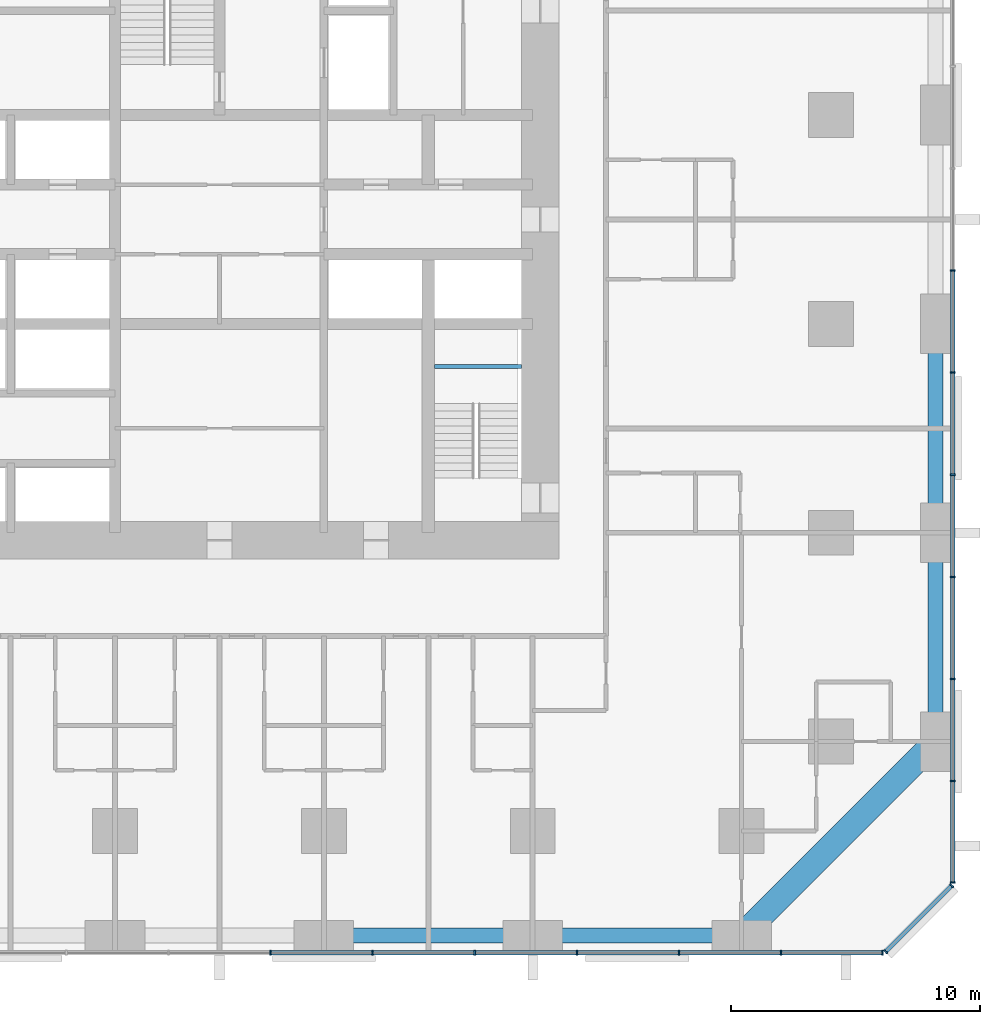
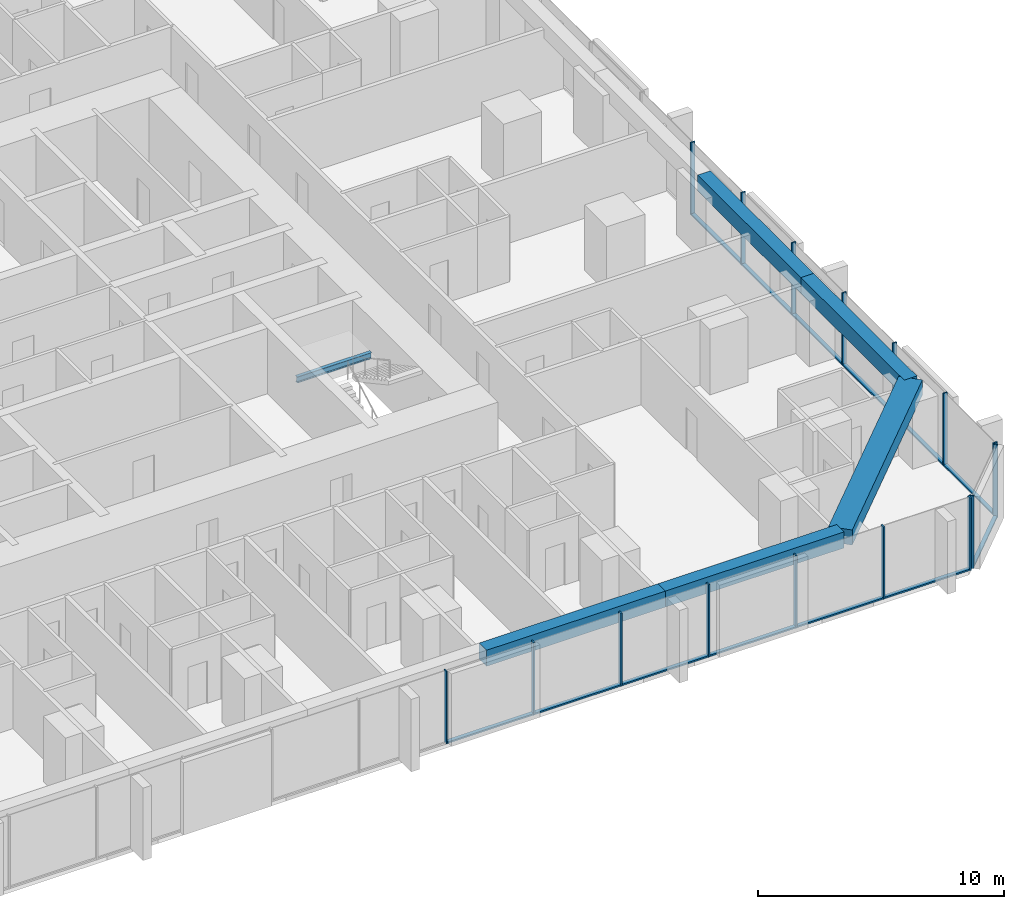
# One storey, part 4 of 17: 29 members, 6 beams, 3 elements without a shape of their own.
"""IFC4 building model written with IfcOpenShell, lengths in metres."""

from ifc_helpers import new_model, si_unit, direction, frame, origin, origin_2d, place, context, subcontext, project, spatial, rectangle, i_section, extrude, material, material_profile, profile_set, type_object, element, aggregate, save


model = new_model("IFC4")

# Units and contexts
model_context = context("Model", 3, precision=1e-05, world=origin(), true_north=direction((0.0, 1.0)))
body_context = subcontext(model_context, "Body", "Model", "MODEL_VIEW")
ifc_project = project(units=[si_unit("LENGTHUNIT", "METRE"), si_unit("AREAUNIT", "SQUARE_METRE"), si_unit("VOLUMEUNIT", "CUBIC_METRE"), si_unit("PLANEANGLEUNIT", "RADIAN"), si_unit("MASSUNIT", "GRAM", prefix="KILO")], contexts=[model_context])

# Site, building, storey
site_placement = place(None, origin())
site = spatial("IfcSite", under=ifc_project, at=site_placement, CompositionType="ELEMENT")
building_placement = place(site_placement, origin())
building = spatial("IfcBuilding", under=site, at=building_placement, Name="Dunama Terrace Hotel", CompositionType="ELEMENT")
storey_placement = place(building_placement, frame((0.0, 0.0, 77.39990234375)))
storey = spatial("IfcBuildingStorey", under=building, at=storey_placement, Name="L19", CompositionType="ELEMENT", Elevation=77.39990234375)

# Curtain wall, members
ifc_material_1 = material(Name="Aluminium curtain wall system", Category="aluminium")
curtain_wall_type = type_object("IfcCurtainWallType", Name="Unitised fritted glass wall CW-A", PredefinedType="NOTDEFINED", material=ifc_material_1)
curtain_wall_1_placement = place(storey_placement, origin())
curtain_wall_1 = element("IfcCurtainWall", 1, at=curtain_wall_1_placement, inside=storey, type_object=curtain_wall_type, Name="Unitised fritted glass wall CW-A L19", PredefinedType="NOTDEFINED")
ifc_material_2 = material(Name="Aluminium mullion", Category="aluminium")
ifc_material_profile_1 = material_profile(ifc_material_2, rectangle(XDim=0.06494140625, YDim=0.199951171875, at=origin_2d()), Name="CWA MULLION 65X200")
ifc_profile_set_1 = profile_set([ifc_material_profile_1], Name="Aluminium mullion")
member_type_1 = type_object("IfcMemberType", Name="CWA mullion 65x200", PredefinedType="MULLION", material=ifc_profile_set_1)
member_1_placement = place(storey_placement, frame((31.4541015625, -0.10009765625, 0.0), z_axis=(0.0, 0.0, 1.0), x_axis=(1.0, 0.0, 0.0)))
member_1 = element("IfcMember", 2, at=member_1_placement, type_object=member_type_1, Name="CWA mullion", PredefinedType="MULLION", context=body_context, shape_type="SweptSolid", body=[
    extrude(rectangle(XDim=0.06494140625, YDim=0.199951171875, at=origin_2d()), origin(), (0.0, 0.0, 1.0), 3.60009765625),
])
member_2_placement = place(storey_placement, frame((35.56201171875, -0.10009765625, 0.0), z_axis=(0.0, 0.0, 1.0), x_axis=(1.0, 0.0, 0.0)))
member_2 = element("IfcMember", 3, at=member_2_placement, type_object=member_type_1, Name="CWA mullion", PredefinedType="MULLION", context=body_context, shape_type="SweptSolid", body=[
    extrude(rectangle(XDim=0.06494140625, YDim=0.199951171875, at=origin_2d()), origin(), (0.0, 0.0, 1.0), 3.60009765625),
])
member_3_placement = place(storey_placement, frame((39.6689453125, -0.10009765625, 0.0), z_axis=(0.0, 0.0, 1.0), x_axis=(1.0, 0.0, 0.0)))
member_3 = element("IfcMember", 4, at=member_3_placement, type_object=member_type_1, Name="CWA mullion", PredefinedType="MULLION", context=body_context, shape_type="SweptSolid", body=[
    extrude(rectangle(XDim=0.06494140625, YDim=0.199951171875, at=origin_2d()), origin(), (0.0, 0.0, 1.0), 3.60009765625),
])
member_4_placement = place(storey_placement, frame((43.777099609375, -0.10009765625, 0.0), z_axis=(0.0, 0.0, 1.0), x_axis=(1.0, 0.0, 0.0)))
member_4 = element("IfcMember", 5, at=member_4_placement, type_object=member_type_1, Name="CWA mullion", PredefinedType="MULLION", context=body_context, shape_type="SweptSolid", body=[
    extrude(rectangle(XDim=0.06494140625, YDim=0.199951171875, at=origin_2d()), origin(), (0.0, 0.0, 1.0), 3.60009765625),
])
member_5_placement = place(storey_placement, frame((47.885009765625, -0.10009765625, 0.0), z_axis=(0.0, 0.0, 1.0), x_axis=(1.0, 0.0, 0.0)))
member_5 = element("IfcMember", 6, at=member_5_placement, type_object=member_type_1, Name="CWA mullion", PredefinedType="MULLION", context=body_context, shape_type="SweptSolid", body=[
    extrude(rectangle(XDim=0.06494140625, YDim=0.199951171875, at=origin_2d()), origin(), (0.0, 0.0, 1.0), 3.60009765625),
])
member_6_placement = place(storey_placement, frame((51.991943359375, -0.10009765625, 0.0), z_axis=(0.0, 0.0, 1.0), x_axis=(1.0, 0.0, 0.0)))
member_6 = element("IfcMember", 7, at=member_6_placement, type_object=member_type_1, Name="CWA mullion", PredefinedType="MULLION", context=body_context, shape_type="SweptSolid", body=[
    extrude(rectangle(XDim=0.06494140625, YDim=0.199951171875, at=origin_2d()), origin(), (0.0, 0.0, 1.0), 3.60009765625),
])
member_7_placement = place(storey_placement, frame((56.06689453125, -0.10009765625, 0.0), z_axis=(0.0, 0.0, 1.0), x_axis=(1.0, 0.0, 0.0)))
member_7 = element("IfcMember", 8, at=member_7_placement, type_object=member_type_1, Name="CWA mullion", PredefinedType="MULLION", context=body_context, shape_type="SweptSolid", body=[
    extrude(rectangle(XDim=0.06494140625, YDim=0.199951171875, at=origin_2d()), origin(), (0.0, 0.0, 1.0), 3.60009765625),
])

curtain_wall_2_placement = place(storey_placement, origin())
curtain_wall_2 = element("IfcCurtainWall", 9, at=curtain_wall_2_placement, inside=storey, type_object=curtain_wall_type, Name="Unitised fritted glass wall CW-A L19", PredefinedType="NOTDEFINED")
member_8_placement = place(storey_placement, frame((56.194091796875, -0.048095703125, 0.0), z_axis=(0.0, 0.0, 1.0), x_axis=(0.707106781187, 0.707106781187, 0.0)))
member_8 = element("IfcMember", 10, at=member_8_placement, type_object=member_type_1, Name="CWA mullion", PredefinedType="MULLION", context=body_context, shape_type="SweptSolid", body=[
    extrude(rectangle(XDim=0.06494140625, YDim=0.199951171875, at=origin_2d()), origin(), (0.0, 0.0, 1.0), 3.60009765625),
])
member_9_placement = place(storey_placement, frame((58.847900390625, 2.60595703125, 0.0), z_axis=(0.0, 0.0, 1.0), x_axis=(0.707106781187, 0.707106781187, 0.0)))
member_9 = element("IfcMember", 11, at=member_9_placement, type_object=member_type_1, Name="CWA mullion", PredefinedType="MULLION", context=body_context, shape_type="SweptSolid", body=[
    extrude(rectangle(XDim=0.06494140625, YDim=0.199951171875, at=origin_2d()), origin(), (0.0, 0.0, 1.0), 3.60009765625),
])

curtain_wall_3_placement = place(storey_placement, origin())
curtain_wall_3 = element("IfcCurtainWall", 12, at=curtain_wall_3_placement, inside=storey, type_object=curtain_wall_type, Name="Unitised fritted glass wall CW-A L19", PredefinedType="NOTDEFINED")
member_10_placement = place(storey_placement, frame((58.89990234375, 2.73291015625, 0.0), z_axis=(0.0, 0.0, 1.0), x_axis=(0.0, 1.0, 0.0)))
member_10 = element("IfcMember", 13, at=member_10_placement, type_object=member_type_1, Name="CWA mullion", PredefinedType="MULLION", context=body_context, shape_type="SweptSolid", body=[
    extrude(rectangle(XDim=0.06494140625, YDim=0.199951171875, at=origin_2d()), origin(), (0.0, 0.0, 1.0), 3.60009765625),
])
member_11_placement = place(storey_placement, frame((58.89990234375, 6.80810546875, 0.0), z_axis=(0.0, 0.0, 1.0), x_axis=(0.0, 1.0, 0.0)))
member_11 = element("IfcMember", 14, at=member_11_placement, type_object=member_type_1, Name="CWA mullion", PredefinedType="MULLION", context=body_context, shape_type="SweptSolid", body=[
    extrude(rectangle(XDim=0.06494140625, YDim=0.199951171875, at=origin_2d()), origin(), (0.0, 0.0, 1.0), 3.60009765625),
])
member_12_placement = place(storey_placement, frame((58.89990234375, 10.9150390625, 0.0), z_axis=(0.0, 0.0, 1.0), x_axis=(0.0, 1.0, 0.0)))
member_12 = element("IfcMember", 15, at=member_12_placement, type_object=member_type_1, Name="CWA mullion", PredefinedType="MULLION", context=body_context, shape_type="SweptSolid", body=[
    extrude(rectangle(XDim=0.06494140625, YDim=0.199951171875, at=origin_2d()), origin(), (0.0, 0.0, 1.0), 3.60009765625),
])
member_13_placement = place(storey_placement, frame((58.89990234375, 15.02294921875, 0.0), z_axis=(0.0, 0.0, 1.0), x_axis=(0.0, 1.0, 0.0)))
member_13 = element("IfcMember", 16, at=member_13_placement, type_object=member_type_1, Name="CWA mullion", PredefinedType="MULLION", context=body_context, shape_type="SweptSolid", body=[
    extrude(rectangle(XDim=0.06494140625, YDim=0.199951171875, at=origin_2d()), origin(), (0.0, 0.0, 1.0), 3.60009765625),
])
member_14_placement = place(storey_placement, frame((58.89990234375, 19.131103515625, 0.0), z_axis=(0.0, 0.0, 1.0), x_axis=(0.0, 1.0, 0.0)))
member_14 = element("IfcMember", 17, at=member_14_placement, type_object=member_type_1, Name="CWA mullion", PredefinedType="MULLION", context=body_context, shape_type="SweptSolid", body=[
    extrude(rectangle(XDim=0.06494140625, YDim=0.199951171875, at=origin_2d()), origin(), (0.0, 0.0, 1.0), 3.60009765625),
])
member_15_placement = place(storey_placement, frame((58.89990234375, 23.238037109375, 0.0), z_axis=(0.0, 0.0, 1.0), x_axis=(0.0, 1.0, 0.0)))
member_15 = element("IfcMember", 18, at=member_15_placement, type_object=member_type_1, Name="CWA mullion", PredefinedType="MULLION", context=body_context, shape_type="SweptSolid", body=[
    extrude(rectangle(XDim=0.06494140625, YDim=0.199951171875, at=origin_2d()), origin(), (0.0, 0.0, 1.0), 3.60009765625),
])
member_16_placement = place(storey_placement, frame((58.89990234375, 27.345947265625, 0.0), z_axis=(0.0, 0.0, 1.0), x_axis=(0.0, 1.0, 0.0)))
member_16 = element("IfcMember", 19, at=member_16_placement, type_object=member_type_1, Name="CWA mullion", PredefinedType="MULLION", context=body_context, shape_type="SweptSolid", body=[
    extrude(rectangle(XDim=0.06494140625, YDim=0.199951171875, at=origin_2d()), origin(), (0.0, 0.0, 1.0), 3.60009765625),
])

# Member
ifc_material_3 = material(Name="Aluminium transom", Category="aluminium")
ifc_material_profile_2 = material_profile(ifc_material_3, rectangle(XDim=0.179931640625, YDim=0.074951171875, at=origin_2d()), Name="CWA TRANSOM 180X75")
ifc_profile_set_2 = profile_set([ifc_material_profile_2], Name="Aluminium transom")
member_type_2 = type_object("IfcMemberType", Name="CWA transom 180x75", PredefinedType="USERDEFINED", material=ifc_profile_set_2)
member_17_placement = place(storey_placement, frame((31.486083984375, -0.10009765625, 0.03759765625), z_axis=(1.0, 0.0, 0.0), x_axis=(0.0, 1.0, 0.0)))
member_17 = element("IfcMember", 20, at=member_17_placement, type_object=member_type_2, Name="CWA transom", ObjectType="TRANSOM", PredefinedType="USERDEFINED", context=body_context, shape_type="SweptSolid", body=[
    extrude(rectangle(XDim=0.179931640625, YDim=0.074951171875, at=origin_2d()), origin(), (0.0, 0.0, 1.0), 4.04296875),
])

member_18_placement = place(storey_placement, frame((35.593994140625, -0.10009765625, 0.03759765625), z_axis=(1.0, 0.0, 0.0), x_axis=(0.0, 1.0, 0.0)))
member_18 = element("IfcMember", 21, at=member_18_placement, type_object=member_type_2, Name="CWA transom", ObjectType="TRANSOM", PredefinedType="USERDEFINED", context=body_context, shape_type="SweptSolid", body=[
    extrude(rectangle(XDim=0.179931640625, YDim=0.074951171875, at=origin_2d()), origin(), (0.0, 0.0, 1.0), 4.04296875),
])

member_19_placement = place(storey_placement, frame((39.701904296875, -0.10009765625, 0.03759765625), z_axis=(1.0, 0.0, 0.0), x_axis=(0.0, 1.0, 0.0)))
member_19 = element("IfcMember", 22, at=member_19_placement, type_object=member_type_2, Name="CWA transom", ObjectType="TRANSOM", PredefinedType="USERDEFINED", context=body_context, shape_type="SweptSolid", body=[
    extrude(rectangle(XDim=0.179931640625, YDim=0.074951171875, at=origin_2d()), origin(), (0.0, 0.0, 1.0), 4.0419921875),
])

member_20_placement = place(storey_placement, frame((43.80908203125, -0.10009765625, 0.03759765625), z_axis=(1.0, 0.0, 0.0), x_axis=(0.0, 1.0, 0.0)))
member_20 = element("IfcMember", 23, at=member_20_placement, type_object=member_type_2, Name="CWA transom", ObjectType="TRANSOM", PredefinedType="USERDEFINED", context=body_context, shape_type="SweptSolid", body=[
    extrude(rectangle(XDim=0.179931640625, YDim=0.074951171875, at=origin_2d()), origin(), (0.0, 0.0, 1.0), 4.04296875),
])

member_21_placement = place(storey_placement, frame((47.9169921875, -0.10009765625, 0.03759765625), z_axis=(1.0, 0.0, 0.0), x_axis=(0.0, 1.0, 0.0)))
member_21 = element("IfcMember", 24, at=member_21_placement, type_object=member_type_2, Name="CWA transom", ObjectType="TRANSOM", PredefinedType="USERDEFINED", context=body_context, shape_type="SweptSolid", body=[
    extrude(rectangle(XDim=0.179931640625, YDim=0.074951171875, at=origin_2d()), origin(), (0.0, 0.0, 1.0), 4.04296875),
])

member_22_placement = place(storey_placement, frame((52.02490234375, -0.10009765625, 0.03759765625), z_axis=(1.0, 0.0, 0.0), x_axis=(0.0, 1.0, 0.0)))
member_22 = element("IfcMember", 25, at=member_22_placement, type_object=member_type_2, Name="CWA transom", ObjectType="TRANSOM", PredefinedType="USERDEFINED", context=body_context, shape_type="SweptSolid", body=[
    extrude(rectangle(XDim=0.179931640625, YDim=0.074951171875, at=origin_2d()), origin(), (0.0, 0.0, 1.0), 4.010009765625),
])

aggregate(curtain_wall_1, [member_1, member_2, member_3, member_4, member_5, member_6, member_7, member_17, member_18, member_19, member_20, member_21, member_22])

member_23_placement = place(storey_placement, frame((56.217041015625, -0.02490234375, 0.03759765625), z_axis=(0.707106781187, 0.707106781187, 0.0), x_axis=(-0.707106781187, 0.707106781187, 0.0)))
member_23 = element("IfcMember", 26, at=member_23_placement, type_object=member_type_2, Name="CWA transom", ObjectType="TRANSOM", PredefinedType="USERDEFINED", context=body_context, shape_type="SweptSolid", body=[
    extrude(rectangle(XDim=0.179931640625, YDim=0.074951171875, at=origin_2d()), origin(), (0.0, 0.0, 1.0), 3.688232421875),
])

aggregate(curtain_wall_2, [member_8, member_9, member_23])

member_24_placement = place(storey_placement, frame((58.89990234375, 2.764892578125, 0.03759765625), z_axis=(0.0, 1.0, 0.0), x_axis=(-1.0, 0.0, 0.0)))
member_24 = element("IfcMember", 27, at=member_24_placement, type_object=member_type_2, Name="CWA transom", ObjectType="TRANSOM", PredefinedType="USERDEFINED", context=body_context, shape_type="SweptSolid", body=[
    extrude(rectangle(XDim=0.179931640625, YDim=0.074951171875, at=origin_2d()), origin(), (0.0, 0.0, 1.0), 4.010009765625),
])

member_25_placement = place(storey_placement, frame((58.89990234375, 6.840087890625, 0.03759765625), z_axis=(0.0, 1.0, 0.0), x_axis=(-1.0, 0.0, 0.0)))
member_25 = element("IfcMember", 28, at=member_25_placement, type_object=member_type_2, Name="CWA transom", ObjectType="TRANSOM", PredefinedType="USERDEFINED", context=body_context, shape_type="SweptSolid", body=[
    extrude(rectangle(XDim=0.179931640625, YDim=0.074951171875, at=origin_2d()), origin(), (0.0, 0.0, 1.0), 4.04296875),
])

member_26_placement = place(storey_placement, frame((58.89990234375, 10.947998046875, 0.03759765625), z_axis=(0.0, 1.0, 0.0), x_axis=(-1.0, 0.0, 0.0)))
member_26 = element("IfcMember", 29, at=member_26_placement, type_object=member_type_2, Name="CWA transom", ObjectType="TRANSOM", PredefinedType="USERDEFINED", context=body_context, shape_type="SweptSolid", body=[
    extrude(rectangle(XDim=0.179931640625, YDim=0.074951171875, at=origin_2d()), origin(), (0.0, 0.0, 1.0), 4.04296875),
])

member_27_placement = place(storey_placement, frame((58.89990234375, 15.055908203125, 0.03759765625), z_axis=(0.0, 1.0, 0.0), x_axis=(-1.0, 0.0, 0.0)))
member_27 = element("IfcMember", 30, at=member_27_placement, type_object=member_type_2, Name="CWA transom", ObjectType="TRANSOM", PredefinedType="USERDEFINED", context=body_context, shape_type="SweptSolid", body=[
    extrude(rectangle(XDim=0.179931640625, YDim=0.074951171875, at=origin_2d()), origin(), (0.0, 0.0, 1.0), 4.0419921875),
])

member_28_placement = place(storey_placement, frame((58.89990234375, 19.1630859375, 0.03759765625), z_axis=(0.0, 1.0, 0.0), x_axis=(-1.0, 0.0, 0.0)))
member_28 = element("IfcMember", 31, at=member_28_placement, type_object=member_type_2, Name="CWA transom", ObjectType="TRANSOM", PredefinedType="USERDEFINED", context=body_context, shape_type="SweptSolid", body=[
    extrude(rectangle(XDim=0.179931640625, YDim=0.074951171875, at=origin_2d()), origin(), (0.0, 0.0, 1.0), 4.04296875),
])

member_29_placement = place(storey_placement, frame((58.89990234375, 23.27099609375, 0.03759765625), z_axis=(0.0, 1.0, 0.0), x_axis=(-1.0, 0.0, 0.0)))
member_29 = element("IfcMember", 32, at=member_29_placement, type_object=member_type_2, Name="CWA transom", ObjectType="TRANSOM", PredefinedType="USERDEFINED", context=body_context, shape_type="SweptSolid", body=[
    extrude(rectangle(XDim=0.179931640625, YDim=0.074951171875, at=origin_2d()), origin(), (0.0, 0.0, 1.0), 4.04296875),
])

aggregate(curtain_wall_3, [member_10, member_11, member_12, member_13, member_14, member_15, member_16, member_24, member_25, member_26, member_27, member_28, member_29])

# Beams
ifc_material_4 = material(Name="Concrete C50/60", Category="concrete")
ifc_material_profile_3 = material_profile(ifc_material_4, rectangle(XDim=1.0, YDim=0.75, at=origin_2d()), Name="RC 1000x750")
ifc_profile_set_3 = profile_set([ifc_material_profile_3], Name="Concrete C50/60")
beam_type_1 = type_object("IfcBeamType", Name="Edge beam RC 1000x750", PredefinedType="SPANDREL", material=ifc_profile_set_3)
beam_1_placement = place(storey_placement, frame((50.39990234375, 0.60009765625, 3.22509765625), z_axis=(0.707117847453, 0.707095714747, 0.0), x_axis=(-0.707095714747, 0.707117847453, 0.0)))
element("IfcBeam", 33, at=beam_1_placement, inside=storey, type_object=beam_type_1, Name="Corner edge beam under L20", PredefinedType="SPANDREL", context=body_context, shape_type="SweptSolid", body=[
    extrude(rectangle(XDim=1.0, YDim=0.75, at=origin_2d()), origin(), (0.0, 0.0, 1.0), 11.03076171875),
])
ifc_material_5 = material(Name="Concrete C40/50", Category="concrete")
ifc_material_profile_4 = material_profile(ifc_material_5, rectangle(XDim=0.60009765625, YDim=0.800048828125, at=origin_2d()), Name="RC 600x800")
ifc_profile_set_4 = profile_set([ifc_material_profile_4], Name="Concrete C40/50")
beam_type_2 = type_object("IfcBeamType", Name="Edge beam RC 600x800", PredefinedType="SPANDREL", material=ifc_profile_set_4)
beam_2_placement = place(storey_placement, frame((58.199951171875, 8.39990234375, 3.2001953125), z_axis=(0.0, 1.0, 0.0), x_axis=(-1.0, 0.0, 0.0)))
element("IfcBeam", 34, at=beam_2_placement, inside=storey, type_object=beam_type_2, Name="Edge beam under L20", PredefinedType="SPANDREL", context=body_context, shape_type="SweptSolid", body=[
    extrude(rectangle(XDim=0.60009765625, YDim=0.800048828125, at=origin_2d()), origin(), (0.0, 0.0, 1.0), 8.400146484375),
])
for number, where, z_axis, x_axis, name in (
    (35, (58.199951171875, 16.800048828125, 3.2001953125), (0.0, 1.0, 0.0), (-1.0, 0.0, 0.0), "Edge beam under L20"),
    (36, (33.60009765625, 0.60009765625, 3.2001953125), (1.0, 0.0, 0.0), (0.0, 1.0, 0.0), "Edge beam under L20"),
    (37, (42.0, 0.60009765625, 3.2001953125), (1.0, 0.0, 0.0), (0.0, 1.0, 0.0), "Edge beam under L20"),
):
    element("IfcBeam", number, at=place(storey_placement, frame(where, z_axis=z_axis, x_axis=x_axis)), inside=storey, type_object=beam_type_2, Name=name, PredefinedType="SPANDREL", context=body_context, shape_type="SweptSolid", body=[
        extrude(rectangle(XDim=0.60009765625, YDim=0.800048828125, at=origin_2d()), origin(), (0.0, 0.0, 1.0), 8.39990234375),
    ])
ifc_material_6 = material(Name="Steel S355", Category="steel")
ifc_material_profile_5 = material_profile(ifc_material_6, i_section(OverallWidth=0.1650390625, OverallDepth=0.303466796875, WebThickness=0.006103515625, FlangeThickness=0.01025390625, FilletRadius=0.0087890625, at=origin_2d()), Name="UB 305x165x40")
ifc_profile_set_5 = profile_set([ifc_material_profile_5], Name="Steel S355")
beam_type_3 = type_object("IfcBeamType", Name="Stair beam UB 305x165x40", PredefinedType="BEAM", material=ifc_profile_set_5)
beam_3_placement = place(storey_placement, frame((38.050048828125, 23.487548828125, 1.448486328125), z_axis=(1.0, 0.0, 0.0), x_axis=(0.0, 1.0, 0.0)))
element("IfcBeam", 38, at=beam_3_placement, inside=storey, type_object=beam_type_3, Name="Stair landing beam ST2 L19", PredefinedType="BEAM", context=body_context, shape_type="SweptSolid", body=[
    extrude(i_section(OverallWidth=0.1650390625, OverallDepth=0.303466796875, WebThickness=0.006103515625, FlangeThickness=0.01025390625, FilletRadius=0.0087890625, at=origin_2d()), origin(), (0.0, 0.0, 1.0), 3.5),
])

save(model, "model.ifc")
